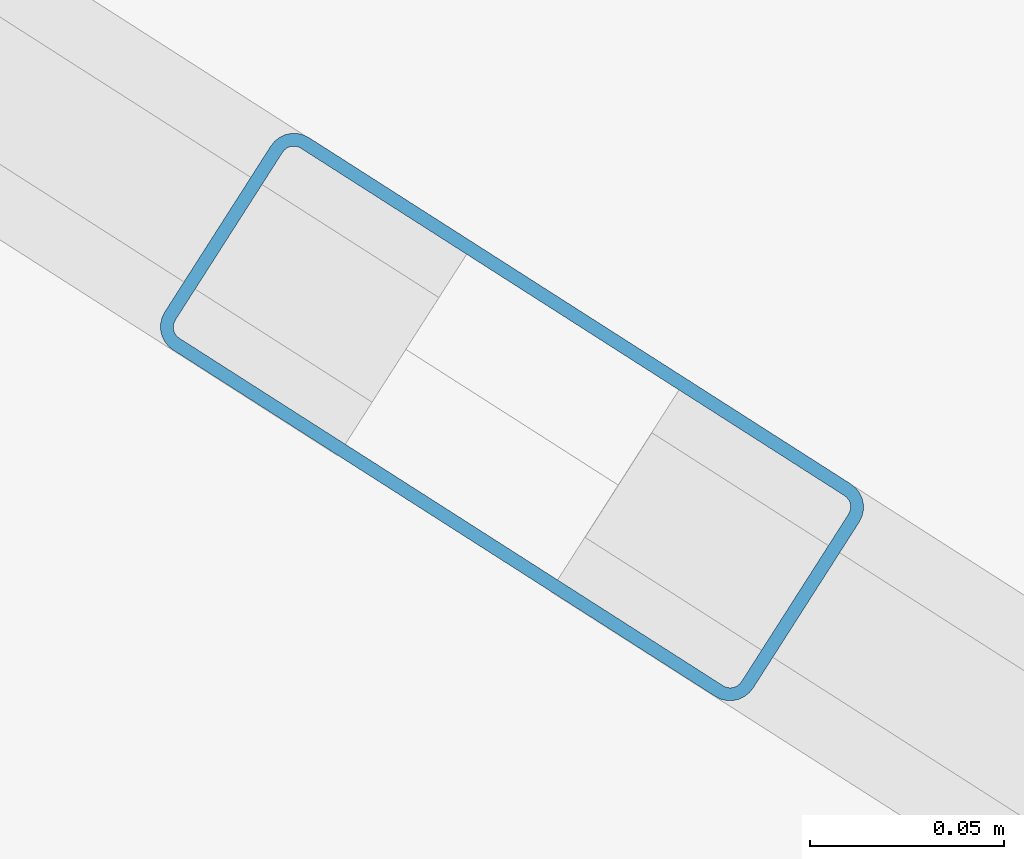
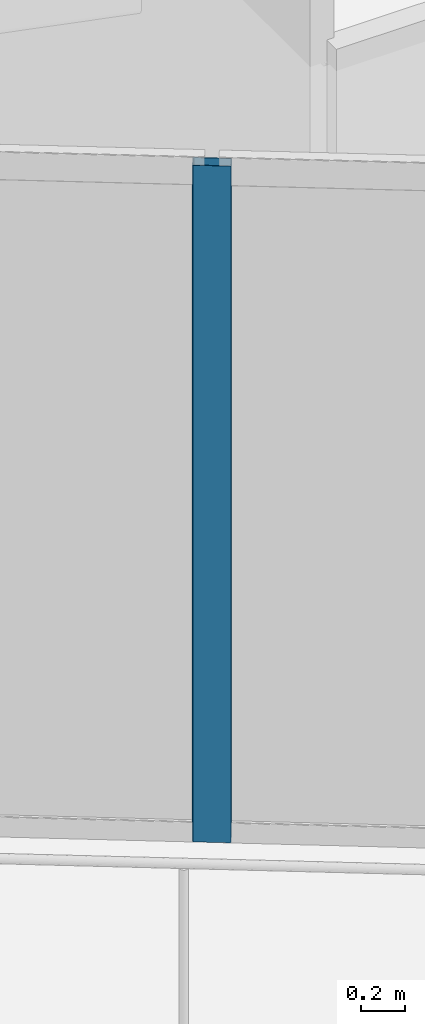
# One storey, part 2 of 43: 1 member, 1 element without a shape of its own.
"""IFC4 building model written with IfcOpenShell, lengths in metres."""

from ifc_helpers import new_model, si_unit, direction, frame, origin, origin_2d, place, context, subcontext, project, spatial, hollow_rectangle, extrude, material, layer, layer_set, material_profile, profile_set, type_object, element, aggregate, save


model = new_model("IFC4")

# Units and contexts
model_context = context("Model", 3, precision=1e-05, world=origin(), true_north=direction((0.0, 1.0)))
body_context = subcontext(model_context, "Body", "Model", "MODEL_VIEW")
ifc_project = project(units=[si_unit("LENGTHUNIT", "METRE"), si_unit("AREAUNIT", "SQUARE_METRE"), si_unit("VOLUMEUNIT", "CUBIC_METRE"), si_unit("PLANEANGLEUNIT", "RADIAN"), si_unit("MASSUNIT", "GRAM", prefix="KILO")], contexts=[model_context])

# Site, building, storey
site_placement = place(None, origin())
site = spatial("IfcSite", under=ifc_project, at=site_placement, CompositionType="ELEMENT")
building_placement = place(site_placement, origin())
building = spatial("IfcBuilding", under=site, at=building_placement, Name="Qorvath Tower", CompositionType="ELEMENT")
storey_placement = place(building_placement, frame((0.0, 0.0, 213.14990234375)))
storey = spatial("IfcBuildingStorey", under=building, at=storey_placement, Name="L49", CompositionType="ELEMENT", Elevation=213.14990234375)

# Curtain wall, member
ifc_material_1 = material(Name="Anodised aluminium and triple low-E glass", Category="aluminium")
ifc_layer = layer(ifc_material_1, 0.179931640625)
ifc_layer_set = layer_set([ifc_layer], Name="CW-SYS-3")
curtain_wall_type = type_object("IfcCurtainWallType", Name="CW-SYS-3", PredefinedType="NOTDEFINED", material=ifc_layer_set)
curtain_wall_placement = place(storey_placement, origin())
curtain_wall = element("IfcCurtainWall", 1, at=curtain_wall_placement, inside=storey, type_object=curtain_wall_type, Name="Curtain Wall CW-3 CW-T-L49-2.2", PredefinedType="NOTDEFINED")
ifc_material_2 = material(Name="Anodised aluminium 6063-T6", Category="aluminium")
ifc_material_profile = material_profile(ifc_material_2, hollow_rectangle(XDim=0.06494140625, YDim=0.179931640625, WallThickness=0.00341796875, InnerFilletRadius=0.00341796875, OuterFilletRadius=0.007080078125, at=origin_2d()), Name="CWM 180x65")
ifc_profile_set = profile_set([ifc_material_profile], Name="Anodised aluminium 6063-T6")
member_type = type_object("IfcMemberType", Name="CWM-180", PredefinedType="MULLION", material=ifc_profile_set)
member_placement = place(storey_placement, frame((-39.330322265625, -12.47607421875, 0.0), z_axis=(0.0, 0.0, 1.0), x_axis=(0.538532547612, 0.842604708723, 0.0)))
member = element("IfcMember", 2, at=member_placement, type_object=member_type, Name="CW-3 mullion 3", PredefinedType="MULLION", context=body_context, shape_type="SweptSolid", body=[
    extrude(hollow_rectangle(XDim=0.06494140625, YDim=0.179931640625, WallThickness=0.00341796875, InnerFilletRadius=0.00341796875, OuterFilletRadius=0.007080078125, at=origin_2d()), origin(), (0.0, 0.0, 1.0), 3.780029296875),
])
aggregate(curtain_wall, [member])

save(model, "model.ifc")
